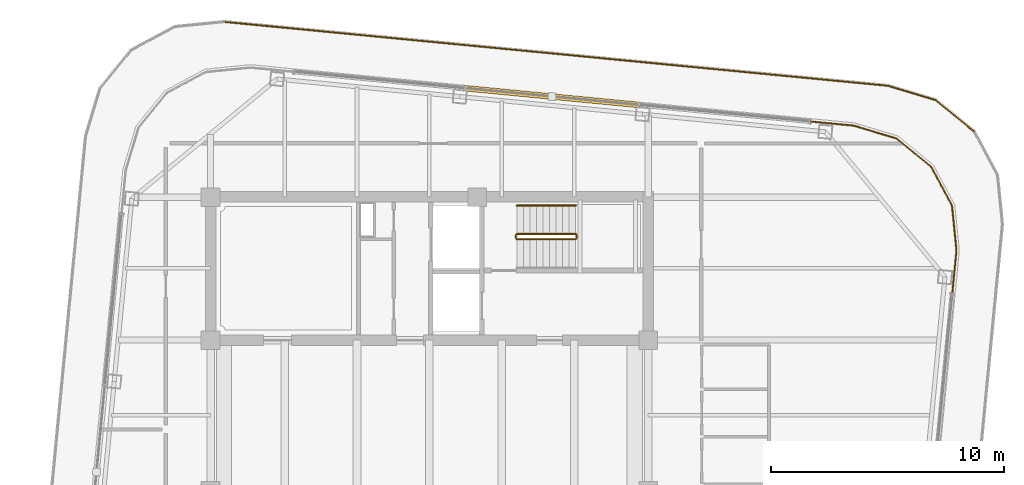
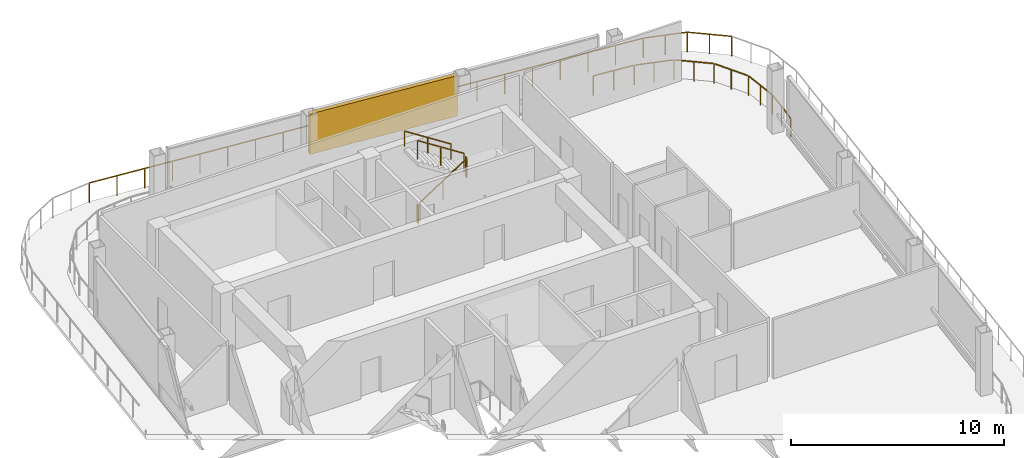
# One storey, part 22 of 23: 9 railings, 1 shading device.
"""IFC4 building model written with IfcOpenShell, lengths in metres."""

import ifcopenshell
import ifcopenshell.guid

model = None  # the IFC model being written
_history = None  # IfcOwnerHistory: only IFC2X3 demands one
_inside = {}  # id of a spatial element -> (the spatial element, [elements in it])
_under = {}  # id of a project, library or spatial element -> (it, [spatial elements below it])
_declared = {}  # id of a project -> (the project, [libraries it declares])
_typed = {}  # id of a type object -> (the type object, [elements of that type])
_made_of = {}  # id of a material, layer set ... -> (it, [elements and type objects made of it])


def new_model(schema):
    """Start an empty IFC model of exactly this schema.

    Asked for "IFC4X3", IfcOpenShell would pick the latest addendum, in which some entities
    have other attributes; the version numbers below select the first issue.
    IFC2X3 requires an IfcOwnerHistory on every rooted entity: one is made here for all.
    """
    global model, _history
    if schema == "IFC4X3":
        model = ifcopenshell.file(schema_version=(4, 3, 0, 0))
    else:
        model = ifcopenshell.file(schema=schema)
    _inside.clear()
    _under.clear()
    _declared.clear()
    _typed.clear()
    _made_of.clear()
    _history = None
    if model.schema == "IFC2X3":
        org = make("IfcOrganization", Name="unknown")
        user = make(
            "IfcPersonAndOrganization",
            ThePerson=make("IfcPerson", FamilyName="unknown"),
            TheOrganization=org,
        )
        app = make(
            "IfcApplication",
            ApplicationDeveloper=org,
            Version="unknown",
            ApplicationFullName="unknown",
            ApplicationIdentifier="unknown",
        )
        _history = make(
            "IfcOwnerHistory",
            OwningUser=user,
            OwningApplication=app,
            ChangeAction="ADDED",
            CreationDate=0,
        )
    return model


def make(cls, **values):
    """One entity of the class cls with the attributes given. An attribute that is None is left unset."""
    return model.create_entity(
        cls, **{name: value for name, value in values.items() if value is not None}
    )


def rooted(cls, **values):
    """An entity with a GlobalId (a new one), such as an element, a storey or a relation."""
    return make(cls, GlobalId=ifcopenshell.guid.new(), OwnerHistory=_history, **values)


def si_unit(unit_type, name, prefix=None):
    """IfcSIUnit, for example si_unit("LENGTHUNIT", "METRE", prefix="MILLI")."""
    return make("IfcSIUnit", UnitType=unit_type, Prefix=prefix, Name=name)


def assignment(units):
    """IfcUnitAssignment: the units of a project."""
    return None if units is None else make("IfcUnitAssignment", Units=units)


def point(xyz):
    """IfcCartesianPoint."""
    return None if xyz is None else make("IfcCartesianPoint", Coordinates=xyz)


def direction(xyz):
    """IfcDirection."""
    return None if xyz is None else make("IfcDirection", DirectionRatios=xyz)


def frame(location, z_axis=None, x_axis=None):
    """IfcAxis2Placement3D, a coordinate frame: its origin and axes. An axis left out is left unset."""
    return make(
        "IfcAxis2Placement3D",
        Location=point(location),
        Axis=direction(z_axis),
        RefDirection=direction(x_axis),
    )


def frame_2d(location, x_axis=None):
    """IfcAxis2Placement2D, a coordinate frame in the plane: its origin and x axis."""
    return make(
        "IfcAxis2Placement2D", Location=point(location), RefDirection=direction(x_axis)
    )


def origin():
    """The frame at (0, 0, 0) with its axes left unset."""
    return frame((0.0, 0.0, 0.0))


def origin_2d():
    """The frame at (0, 0) in the plane with its x axis left unset."""
    return frame_2d((0.0, 0.0))


def place(relative_to, where):
    """IfcLocalPlacement: puts the frame where relative to a parent placement (None: the world)."""
    return make(
        "IfcLocalPlacement", PlacementRelTo=relative_to, RelativePlacement=where
    )


def context(
    kind, dimensions, precision=None, world=None, true_north=None, identifier=None
):
    """IfcGeometricRepresentationContext, for example the 3D "Model" context."""
    return make(
        "IfcGeometricRepresentationContext",
        ContextIdentifier=identifier,
        ContextType=kind,
        CoordinateSpaceDimension=dimensions,
        Precision=precision,
        WorldCoordinateSystem=world,
        TrueNorth=true_north,
    )


def subcontext(parent, identifier, kind, view, scale=None):
    """IfcGeometricRepresentationSubContext, for example "Body" below "Model"."""
    return make(
        "IfcGeometricRepresentationSubContext",
        ContextIdentifier=identifier,
        ContextType=kind,
        ParentContext=parent,
        TargetScale=scale,
        TargetView=view,
    )


def project(units=None, contexts=None):
    """IfcProject with its units and contexts."""
    return rooted(
        "IfcProject",
        Name="project",
        RepresentationContexts=contexts,
        UnitsInContext=assignment(units),
    )


def spatial(cls, under=None, at=None, **own):
    """A site, building, storey or space (cls), placed at a placement, below another one or the project."""
    s = rooted(cls, ObjectPlacement=at, **own)
    if under is not None:
        _under.setdefault(under.id(), (under, []))[1].append(s)
    return s


def profile(cls, at=None, kind="AREA", **sizes):
    """A parametric profile (cls). Its sizes go by their IFC names, for example OverallWidth=200.0."""
    return make(cls, ProfileType=kind, Position=at, **sizes)


def rectangle(**sizes):
    """IfcRectangleProfileDef."""
    return profile("IfcRectangleProfileDef", **sizes)


def extrude(swept, where, along, depth):
    """IfcExtrudedAreaSolid: the profile swept, set in the frame where, extruded along a direction by depth."""
    return make(
        "IfcExtrudedAreaSolid",
        SweptArea=swept,
        Position=where,
        ExtrudedDirection=direction(along),
        Depth=depth,
    )


def shape(context_of_items, identifier, shape_type, items):
    """IfcShapeRepresentation: the items that make up one representation, for example the "Body"."""
    return make(
        "IfcShapeRepresentation",
        ContextOfItems=context_of_items,
        RepresentationIdentifier=identifier,
        RepresentationType=shape_type,
        Items=items,
    )


def material(Name=None, Category=None):
    """IfcMaterial."""
    return make("IfcMaterial", Name=Name, Category=Category)


def made_of(thing, what):
    """Note that an element or type object is made of a material, layer set ...; save() writes the relation."""
    if what is not None:
        _made_of.setdefault(what.id(), (what, []))[1].append(thing)
    return thing


def type_object(cls, material=None, **own):
    """A type object (cls), such as IfcWallType, which elements share."""
    return made_of(rooted(cls, **own), material)


def element(
    cls,
    number,
    at=None,
    inside=None,
    cuts=None,
    type_object=None,
    material=None,
    context=None,
    identifier="Body",
    shape_type=None,
    held_by="IfcProductDefinitionShape",
    body=None,
    shapes=None,
    **own,
):
    """One element of the class cls, such as IfcWall. Its Tag is "e" and its number.

    at: its placement. inside: the storey or other place that contains it. cuts: it is an
    opening in that element (IfcRelVoidsElement). A single representation is given by context,
    identifier, shape_type and body (its items); several are given by shapes. held_by: the class
    of the entity that holds the representations. save() writes the other relations.
    """
    e = rooted(cls, Tag="e%d" % number, ObjectPlacement=at, **own)
    if body is not None:
        shapes = [shape(context, identifier, shape_type, body)]
    if shapes is not None:
        e.Representation = make(held_by, Representations=shapes)
    if inside is not None:
        _inside.setdefault(inside.id(), (inside, []))[1].append(e)
    if cuts is not None:
        rooted(
            "IfcRelVoidsElement", RelatingBuildingElement=cuts, RelatedOpeningElement=e
        )
    if type_object is not None:
        _typed.setdefault(type_object.id(), (type_object, []))[1].append(e)
    return made_of(e, material)


def aggregate(whole, parts):
    """IfcRelAggregates: a whole, such as a stair, and the parts it consists of."""
    return rooted("IfcRelAggregates", RelatingObject=whole, RelatedObjects=parts)


def save(model, path):
    """Write the relations noted so far, then the file.

    IfcRelAggregates (storeys below a building ...), IfcRelContainedInSpatialStructure (elements
    in a storey), IfcRelDefinesByType, IfcRelAssociatesMaterial and IfcRelDeclares: one each for
    every whole, place, type object, material and project.
    """
    for whole, parts in _under.values():
        aggregate(whole, parts)
    for where, things in _inside.values():
        rooted(
            "IfcRelContainedInSpatialStructure",
            RelatedElements=things,
            RelatingStructure=where,
        )
    for kind, things in _typed.values():
        rooted("IfcRelDefinesByType", RelatedObjects=things, RelatingType=kind)
    for what, things in _made_of.values():
        rooted("IfcRelAssociatesMaterial", RelatedObjects=things, RelatingMaterial=what)
    for by, libraries in _declared.values():
        rooted("IfcRelDeclares", RelatingContext=by, RelatedDefinitions=libraries)
    model.write(path)


model = new_model("IFC4")

# Units and contexts
model_context = context("Model", 3, precision=1e-05, world=origin(), true_north=direction((0.0, 1.0)))
body_context = subcontext(model_context, "Body", "Model", "MODEL_VIEW")
ifc_project = project(units=[si_unit("LENGTHUNIT", "METRE"), si_unit("AREAUNIT", "SQUARE_METRE"), si_unit("VOLUMEUNIT", "CUBIC_METRE"), si_unit("PLANEANGLEUNIT", "RADIAN"), si_unit("MASSUNIT", "GRAM", prefix="KILO")], contexts=[model_context])

# Site, building, storey
site_placement = place(None, origin())
site = spatial("IfcSite", under=ifc_project, at=site_placement, CompositionType="ELEMENT")
building_placement = place(site_placement, origin())
building = spatial("IfcBuilding", under=site, at=building_placement, Name="Qhalaya Broadcast Tower", CompositionType="ELEMENT")
storey_placement = place(building_placement, frame((0.0, 0.0, 276.949951171875)))
storey = spatial("IfcBuildingStorey", under=building, at=storey_placement, Name="L82", CompositionType="ELEMENT", Elevation=276.949951171875)

# Railings
ifc_material_1 = material(Name="Powder-Coated Galvanised Steel", Category="steel")
railing_type_1 = type_object("IfcRailingType", Name="Stair Wall Handrail 900", PredefinedType="HANDRAIL", material=ifc_material_1)
railing_1_placement = place(storey_placement, frame((6.27001953125, 9.590087890625, 1.97998046875)))
element("IfcRailing", 1, at=railing_1_placement, inside=storey, type_object=railing_type_1, Name="L82 ST-1 Stair Handrail 2", PredefinedType="HANDRAIL", context=body_context, shape_type="SweptSolid", body=[
    extrude(rectangle(XDim=0.048095703125, YDim=0.048095703125, at=origin_2d()), frame((0.0, 0.0, 0.8759765625), z_axis=(-0.841162588446, 0.0, 0.540782303519), x_axis=(0.0, -1.0, 0.0)), (0.0, 0.0, 1.0), 2.995849609375),
    extrude(rectangle(XDim=0.0419921875, YDim=0.0419921875, at=origin_2d()), origin(), (0.0, 0.0, 1.0), 0.849853515625),
    extrude(rectangle(XDim=0.0419921875, YDim=0.0419921875, at=origin_2d()), frame((-1.260009765625, 0.0, 0.81005859375)), (0.0, 0.0, 1.0), 0.849853515625),
    extrude(rectangle(XDim=0.0419921875, YDim=0.0419921875, at=origin_2d()), frame((-2.52001953125, 0.0, 1.6201171875)), (0.0, 0.0, 1.0), 0.849853515625),
])
railing_type_2 = type_object("IfcRailingType", Name="Stair Well & Landing Guardrail 1100", PredefinedType="GUARDRAIL", material=ifc_material_1)
railing_2_placement = place(storey_placement, frame((3.75, 8.14990234375, 0.179931640625)))
element("IfcRailing", 2, at=railing_2_placement, inside=storey, type_object=railing_type_2, Name="L82 ST-1 Stair Guard 1", PredefinedType="GUARDRAIL", context=body_context, shape_type="SweptSolid", body=[
    extrude(rectangle(XDim=0.048095703125, YDim=0.048095703125, at=origin_2d()), frame((0.0, 0.0, 1.076171875), z_axis=(0.841162588446, 0.0, 0.540782303519), x_axis=(0.0, 1.0, 0.0)), (0.0, 0.0, 1.0), 2.995849609375),
    extrude(rectangle(XDim=0.0419921875, YDim=0.0419921875, at=origin_2d()), origin(), (0.0, 0.0, 1.0), 1.050048828125),
    extrude(rectangle(XDim=0.0419921875, YDim=0.0419921875, at=origin_2d()), frame((1.260009765625, 0.0, 0.81005859375)), (0.0, 0.0, 1.0), 1.050048828125),
    extrude(rectangle(XDim=0.0419921875, YDim=0.0419921875, at=origin_2d()), frame((2.52001953125, 0.0, 1.6201171875)), (0.0, 0.0, 1.0), 1.050048828125),
])
railing_3_placement = place(storey_placement, frame((6.320068359375, 8.199951171875, 1.800048828125)))
element("IfcRailing", 3, at=railing_3_placement, inside=storey, type_object=railing_type_2, Name="L82 ST-1 Stair Guard 2", PredefinedType="GUARDRAIL", context=body_context, shape_type="SweptSolid", body=[
    extrude(rectangle(XDim=0.048095703125, YDim=0.048095703125, at=origin_2d()), frame((0.0, 0.0, 1.076171875), z_axis=(0.0, 1.0, 0.0), x_axis=(-1.0, 0.0, 0.0)), (0.0, 0.0, 1.0), 0.1201171875),
    extrude(rectangle(XDim=0.0419921875, YDim=0.0419921875, at=origin_2d()), origin(), (0.0, 0.0, 1.0), 1.050048828125),
    extrude(rectangle(XDim=0.0419921875, YDim=0.0419921875, at=origin_2d()), frame((0.0, 0.1201171875, 0.0)), (0.0, 0.0, 1.0), 1.050048828125),
])
railing_4_placement = place(storey_placement, frame((6.27001953125, 8.3701171875, 1.97998046875)))
element("IfcRailing", 4, at=railing_4_placement, inside=storey, type_object=railing_type_2, Name="L82 ST-1 Stair Guard 3", PredefinedType="GUARDRAIL", context=body_context, shape_type="SweptSolid", body=[
    extrude(rectangle(XDim=0.048095703125, YDim=0.048095703125, at=origin_2d()), frame((0.0, 0.0, 1.076171875), z_axis=(-0.841162588446, 0.0, 0.540782303519), x_axis=(0.0, -1.0, 0.0)), (0.0, 0.0, 1.0), 2.995849609375),
    extrude(rectangle(XDim=0.0419921875, YDim=0.0419921875, at=origin_2d()), origin(), (0.0, 0.0, 1.0), 1.050048828125),
    extrude(rectangle(XDim=0.0419921875, YDim=0.0419921875, at=origin_2d()), frame((-1.260009765625, 0.0, 0.81005859375)), (0.0, 0.0, 1.0), 1.050048828125),
    extrude(rectangle(XDim=0.0419921875, YDim=0.0419921875, at=origin_2d()), frame((-2.52001953125, 0.0, 1.6201171875)), (0.0, 0.0, 1.0), 1.050048828125),
])
railing_5_placement = place(storey_placement, frame((3.699951171875, 8.199951171875, 0.0)))
element("IfcRailing", 5, at=railing_5_placement, inside=storey, type_object=railing_type_2, Name="L82 ST-1 Stair Guard 4", PredefinedType="GUARDRAIL", context=body_context, shape_type="SweptSolid", body=[
    extrude(rectangle(XDim=0.048095703125, YDim=0.048095703125, at=origin_2d()), frame((0.0, 0.0, 1.076171875), z_axis=(0.0, 1.0, 0.0), x_axis=(-1.0, 0.0, 0.0)), (0.0, 0.0, 1.0), 0.1201171875),
    extrude(rectangle(XDim=0.0419921875, YDim=0.0419921875, at=origin_2d()), origin(), (0.0, 0.0, 1.0), 1.050048828125),
    extrude(rectangle(XDim=0.0419921875, YDim=0.0419921875, at=origin_2d()), frame((0.0, 0.1201171875, 0.0)), (0.0, 0.0, 1.0), 1.050048828125),
])
railing_type_3 = type_object("IfcRailingType", Name="Terrace, Sky-Pool & Lookout Glass Balustrade 1150", PredefinedType="BALUSTRADE", material=ifc_material_1)
railing_6_placement = place(storey_placement, frame((-8.796142578125, 17.458984375, 0.0)))
element("IfcRailing", 6, at=railing_6_placement, inside=storey, type_object=railing_type_3, Name="L82 Perimeter Safety Balustrade BAL-TER1-11", PredefinedType="BALUSTRADE", context=body_context, shape_type="SweptSolid", body=[
    extrude(rectangle(XDim=0.048095703125, YDim=0.048095703125, at=origin_2d()), frame((0.0, 0.0, 1.1259765625), z_axis=(0.995396783625, -0.095839674187, 0.0), x_axis=(0.095839674187, 0.995396783625, 0.0)), (0.0, 0.0, 1.0), 28.584228515625),
    extrude(rectangle(XDim=0.0419921875, YDim=0.0419921875, at=origin_2d()), origin(), (0.0, 0.0, 1.0), 1.099853515625),
    extrude(rectangle(XDim=0.0419921875, YDim=0.0419921875, at=origin_2d()), frame((1.422607421875, -0.136962890625, 0.0)), (0.0, 0.0, 1.0), 1.099853515625),
    extrude(rectangle(XDim=0.0419921875, YDim=0.0419921875, at=origin_2d()), frame((2.84521484375, -0.27392578125, 0.0)), (0.0, 0.0, 1.0), 1.099853515625),
    extrude(rectangle(XDim=0.0419921875, YDim=0.0419921875, at=origin_2d()), frame((4.267822265625, -0.410888671875, 0.0)), (0.0, 0.0, 1.0), 1.099853515625),
    extrude(rectangle(XDim=0.0419921875, YDim=0.0419921875, at=origin_2d()), frame((5.6904296875, -0.5478515625, 0.0)), (0.0, 0.0, 1.0), 1.099853515625),
    extrude(rectangle(XDim=0.0419921875, YDim=0.0419921875, at=origin_2d()), frame((7.11328125, -0.684814453125, 0.0)), (0.0, 0.0, 1.0), 1.099853515625),
    extrude(rectangle(XDim=0.0419921875, YDim=0.0419921875, at=origin_2d()), frame((8.535888671875, -0.82177734375, 0.0)), (0.0, 0.0, 1.0), 1.099853515625),
    extrude(rectangle(XDim=0.0419921875, YDim=0.0419921875, at=origin_2d()), frame((9.95849609375, -0.958740234375, 0.0)), (0.0, 0.0, 1.0), 1.099853515625),
    extrude(rectangle(XDim=0.0419921875, YDim=0.0419921875, at=origin_2d()), frame((11.381103515625, -1.095703125, 0.0)), (0.0, 0.0, 1.0), 1.099853515625),
    extrude(rectangle(XDim=0.0419921875, YDim=0.0419921875, at=origin_2d()), frame((12.8037109375, -1.232666015625, 0.0)), (0.0, 0.0, 1.0), 1.099853515625),
    extrude(rectangle(XDim=0.0419921875, YDim=0.0419921875, at=origin_2d()), frame((14.226318359375, -1.36962890625, 0.0)), (0.0, 0.0, 1.0), 1.099853515625),
    extrude(rectangle(XDim=0.0419921875, YDim=0.0419921875, at=origin_2d()), frame((15.64892578125, -1.5068359375, 0.0)), (0.0, 0.0, 1.0), 1.099853515625),
    extrude(rectangle(XDim=0.0419921875, YDim=0.0419921875, at=origin_2d()), frame((17.071533203125, -1.643798828125, 0.0)), (0.0, 0.0, 1.0), 1.099853515625),
    extrude(rectangle(XDim=0.0419921875, YDim=0.0419921875, at=origin_2d()), frame((18.494140625, -1.78076171875, 0.0)), (0.0, 0.0, 1.0), 1.099853515625),
    extrude(rectangle(XDim=0.0419921875, YDim=0.0419921875, at=origin_2d()), frame((19.916748046875, -1.917724609375, 0.0)), (0.0, 0.0, 1.0), 1.099853515625),
    extrude(rectangle(XDim=0.0419921875, YDim=0.0419921875, at=origin_2d()), frame((21.33935546875, -2.0546875, 0.0)), (0.0, 0.0, 1.0), 1.099853515625),
    extrude(rectangle(XDim=0.0419921875, YDim=0.0419921875, at=origin_2d()), frame((22.76220703125, -2.191650390625, 0.0)), (0.0, 0.0, 1.0), 1.099853515625),
    extrude(rectangle(XDim=0.0419921875, YDim=0.0419921875, at=origin_2d()), frame((24.184814453125, -2.32861328125, 0.0)), (0.0, 0.0, 1.0), 1.099853515625),
    extrude(rectangle(XDim=0.0419921875, YDim=0.0419921875, at=origin_2d()), frame((25.607421875, -2.465576171875, 0.0)), (0.0, 0.0, 1.0), 1.099853515625),
    extrude(rectangle(XDim=0.0419921875, YDim=0.0419921875, at=origin_2d()), frame((27.030029296875, -2.6025390625, 0.0)), (0.0, 0.0, 1.0), 1.099853515625),
    extrude(rectangle(XDim=0.0419921875, YDim=0.0419921875, at=origin_2d()), frame((28.45263671875, -2.739501953125, 0.0)), (0.0, 0.0, 1.0), 1.099853515625),
])
railing_7_placement = place(storey_placement, frame((19.656494140625, 14.719482421875, 0.0)))
element("IfcRailing", 7, at=railing_7_placement, inside=storey, type_object=railing_type_3, Name="L82 Perimeter Safety Balustrade BAL-TER1-12", PredefinedType="BALUSTRADE", context=body_context, shape_type="SweptSolid", body=[
    extrude(rectangle(XDim=0.048095703125, YDim=0.048095703125, at=origin_2d()), frame((0.0, 0.0, 1.1259765625), z_axis=(0.957578968467, -0.288170989429, 0.0), x_axis=(0.288170989429, 0.957578968467, 0.0)), (0.0, 0.0, 1.0), 2.122314453125),
    extrude(rectangle(XDim=0.0419921875, YDim=0.0419921875, at=origin_2d()), origin(), (0.0, 0.0, 1.0), 1.099853515625),
    extrude(rectangle(XDim=0.0419921875, YDim=0.0419921875, at=origin_2d()), frame((1.01611328125, -0.3056640625, 0.0)), (0.0, 0.0, 1.0), 1.099853515625),
    extrude(rectangle(XDim=0.0419921875, YDim=0.0419921875, at=origin_2d()), frame((2.0322265625, -0.611572265625, 0.0)), (0.0, 0.0, 1.0), 1.099853515625),
])
railing_8_placement = place(storey_placement, frame((21.688720703125, 14.10791015625, 0.0)))
element("IfcRailing", 8, at=railing_8_placement, inside=storey, type_object=railing_type_3, Name="L82 Perimeter Safety Balustrade BAL-TER1-13", PredefinedType="BALUSTRADE", context=body_context, shape_type="SweptSolid", body=[
    extrude(rectangle(XDim=0.048095703125, YDim=0.048095703125, at=origin_2d()), frame((0.0, 0.0, 1.1259765625), z_axis=(0.774291625152, -0.632828949416, 0.0), x_axis=(0.632828949416, 0.774291625152, 0.0)), (0.0, 0.0, 1.0), 2.1142578125),
    extrude(rectangle(XDim=0.0419921875, YDim=0.0419921875, at=origin_2d()), origin(), (0.0, 0.0, 1.0), 1.099853515625),
    extrude(rectangle(XDim=0.0419921875, YDim=0.0419921875, at=origin_2d()), frame((0.818359375, -0.6689453125, 0.0)), (0.0, 0.0, 1.0), 1.099853515625),
    extrude(rectangle(XDim=0.0419921875, YDim=0.0419921875, at=origin_2d()), frame((1.636962890625, -1.337890625, 0.0)), (0.0, 0.0, 1.0), 1.099853515625),
])
railing_9_placement = place(storey_placement, frame((16.07373046875, 13.2158203125, 0.0)))
element("IfcRailing", 9, at=railing_9_placement, inside=storey, type_object=railing_type_3, Name="L82 Rounded Corner Perimeter Guard 04", PredefinedType="BALUSTRADE", context=body_context, shape_type="SweptSolid", body=[
    extrude(rectangle(XDim=0.048095703125, YDim=0.048095703125, at=origin_2d()), frame((0.0, 0.0, 1.1259765625), z_axis=(0.995391273094, -0.095896889673, 0.0), x_axis=(0.095896889673, 0.995391273094, 0.0)), (0.0, 0.0, 1.0), 2.08935546875),
    extrude(rectangle(XDim=0.048095703125, YDim=0.048095703125, at=origin_2d()), frame((2.135986328125, -0.21142578125, 1.1259765625), z_axis=(0.957601447485, -0.288096282124, 0.0), x_axis=(0.288096282124, 0.957601447485, 0.0)), (0.0, 0.0, 1.0), 1.857421875),
    extrude(rectangle(XDim=0.048095703125, YDim=0.048095703125, at=origin_2d()), frame((3.96484375, -0.773193359375, 1.1259765625), z_axis=(0.774357190213, -0.63274871945, 0.0), x_axis=(0.63274871945, 0.774357190213, 0.0)), (0.0, 0.0, 1.0), 1.845703125),
    extrude(rectangle(XDim=0.048095703125, YDim=0.048095703125, at=origin_2d()), frame((5.429931640625, -1.984619140625, 1.1259765625), z_axis=(0.473242797018, -0.880932037714, 0.0), x_axis=(0.880932037714, 0.473242797018, 0.0)), (0.0, 0.0, 1.0), 1.845458984375),
    extrude(rectangle(XDim=0.048095703125, YDim=0.048095703125, at=origin_2d()), frame((6.31982421875, -3.66455078125, 1.1259765625), z_axis=(0.100197883148, -0.994967529225, 0.0), x_axis=(0.994967529225, 0.100197883148, 0.0)), (0.0, 0.0, 1.0), 1.857421875),
    extrude(rectangle(XDim=0.048095703125, YDim=0.048095703125, at=origin_2d()), frame((6.506103515625, -5.570068359375, 1.1259765625), z_axis=(-0.095896889673, -0.995391273094, 0.0), x_axis=(0.995391273094, -0.095896889673, 0.0)), (0.0, 0.0, 1.0), 2.08935546875),
    extrude(rectangle(XDim=0.0419921875, YDim=0.0419921875, at=origin_2d()), origin(), (0.0, 0.0, 1.0), 1.099853515625),
    extrude(rectangle(XDim=0.0419921875, YDim=0.0419921875, at=origin_2d()), frame((1.05419921875, -0.1015625, 0.0)), (0.0, 0.0, 1.0), 1.099853515625),
    extrude(rectangle(XDim=0.0419921875, YDim=0.0419921875, at=origin_2d()), frame((2.1083984375, -0.203125, 0.0)), (0.0, 0.0, 1.0), 1.099853515625),
    extrude(rectangle(XDim=0.0419921875, YDim=0.0419921875, at=origin_2d()), frame((3.025390625, -0.47900390625, 0.0)), (0.0, 0.0, 1.0), 1.099853515625),
    extrude(rectangle(XDim=0.0419921875, YDim=0.0419921875, at=origin_2d()), frame((3.9423828125, -0.7548828125, 0.0)), (0.0, 0.0, 1.0), 1.099853515625),
    extrude(rectangle(XDim=0.0419921875, YDim=0.0419921875, at=origin_2d()), frame((4.67919921875, -1.35693359375, 0.0)), (0.0, 0.0, 1.0), 1.099853515625),
    extrude(rectangle(XDim=0.0419921875, YDim=0.0419921875, at=origin_2d()), frame((5.416259765625, -1.959228515625, 0.0)), (0.0, 0.0, 1.0), 1.099853515625),
    extrude(rectangle(XDim=0.0419921875, YDim=0.0419921875, at=origin_2d()), frame((5.86669921875, -2.79736328125, 0.0)), (0.0, 0.0, 1.0), 1.099853515625),
    extrude(rectangle(XDim=0.0419921875, YDim=0.0419921875, at=origin_2d()), frame((6.31689453125, -3.6357421875, 0.0)), (0.0, 0.0, 1.0), 1.099853515625),
    extrude(rectangle(XDim=0.0419921875, YDim=0.0419921875, at=origin_2d()), frame((6.412841796875, -4.58837890625, 0.0)), (0.0, 0.0, 1.0), 1.099853515625),
    extrude(rectangle(XDim=0.0419921875, YDim=0.0419921875, at=origin_2d()), frame((6.5087890625, -5.541259765625, 0.0)), (0.0, 0.0, 1.0), 1.099853515625),
    extrude(rectangle(XDim=0.0419921875, YDim=0.0419921875, at=origin_2d()), frame((6.4072265625, -6.595458984375, 0.0)), (0.0, 0.0, 1.0), 1.099853515625),
    extrude(rectangle(XDim=0.0419921875, YDim=0.0419921875, at=origin_2d()), frame((6.3056640625, -7.649658203125, 0.0)), (0.0, 0.0, 1.0), 1.099853515625),
])

# Shading device
ifc_material_2 = material(Name="Fired Architectural Terracotta", Category="masonry")
shading_device_type = type_object("IfcShadingDeviceType", Name="Terracotta Baguette Solar Screen Assembly TBS-01", PredefinedType="USERDEFINED", material=ifc_material_2)
shading_device_placement = place(storey_placement, frame((5.25390625, 14.2578125, 0.95458984375), z_axis=(0.0, 0.0, 1.0), x_axis=(-0.995396198367, 0.09584575252, 0.0)))
element("IfcShadingDevice", 10, at=shading_device_placement, inside=storey, type_object=shading_device_type, Name="L82 Fired Terracotta Baguette Screen N", ObjectType="BAGUETTE", PredefinedType="USERDEFINED", context=body_context, shape_type="SweptSolid", body=[
    extrude(rectangle(XDim=7.60009765625, YDim=0.239990234375, at=origin_2d()), origin(), (0.0, 0.0, 1.0), 2.319091796875),
])

save(model, "model.ifc")
